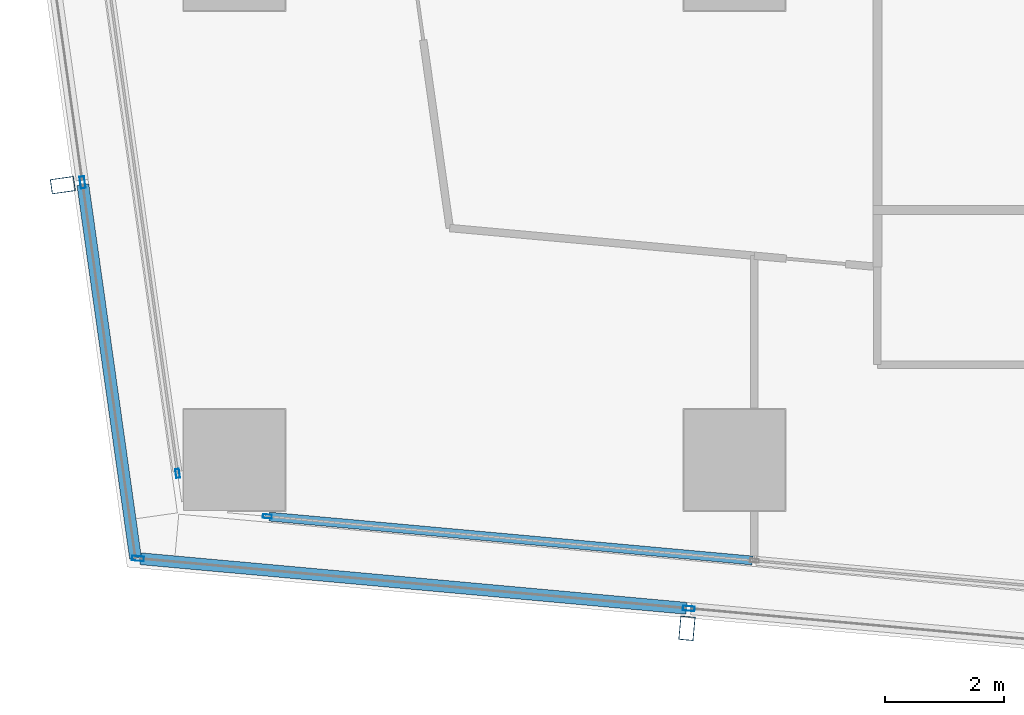
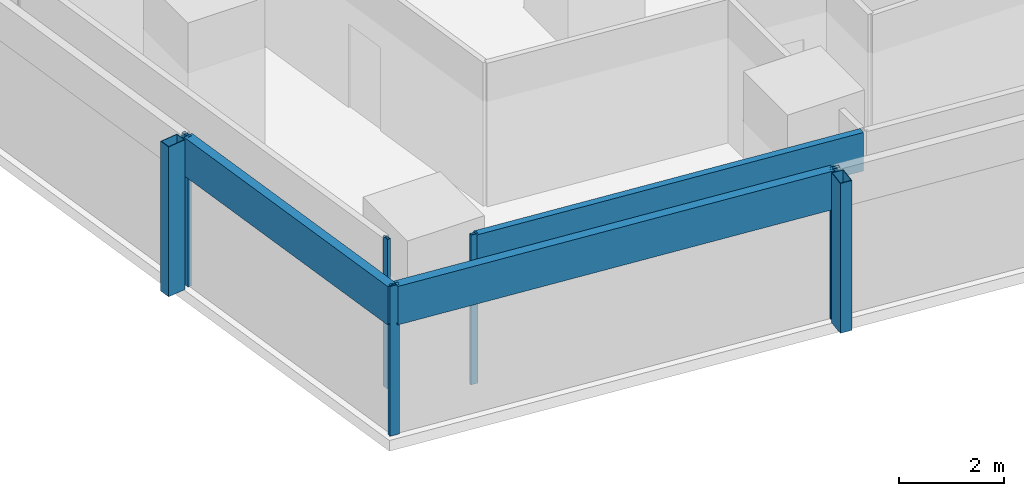
# One storey, part 2 of 40: 10 members, 4 elements without a shape of their own.
"""IFC4 building model written with IfcOpenShell, lengths in metres."""

import ifcopenshell
import ifcopenshell.guid

model = None  # the IFC model being written
_history = None  # IfcOwnerHistory: only IFC2X3 demands one
_inside = {}  # id of a spatial element -> (the spatial element, [elements in it])
_under = {}  # id of a project, library or spatial element -> (it, [spatial elements below it])
_declared = {}  # id of a project -> (the project, [libraries it declares])
_typed = {}  # id of a type object -> (the type object, [elements of that type])
_made_of = {}  # id of a material, layer set ... -> (it, [elements and type objects made of it])


def new_model(schema):
    """Start an empty IFC model of exactly this schema.

    Asked for "IFC4X3", IfcOpenShell would pick the latest addendum, in which some entities
    have other attributes; the version numbers below select the first issue.
    IFC2X3 requires an IfcOwnerHistory on every rooted entity: one is made here for all.
    """
    global model, _history
    if schema == "IFC4X3":
        model = ifcopenshell.file(schema_version=(4, 3, 0, 0))
    else:
        model = ifcopenshell.file(schema=schema)
    _inside.clear()
    _under.clear()
    _declared.clear()
    _typed.clear()
    _made_of.clear()
    _history = None
    if model.schema == "IFC2X3":
        org = make("IfcOrganization", Name="unknown")
        user = make(
            "IfcPersonAndOrganization",
            ThePerson=make("IfcPerson", FamilyName="unknown"),
            TheOrganization=org,
        )
        app = make(
            "IfcApplication",
            ApplicationDeveloper=org,
            Version="unknown",
            ApplicationFullName="unknown",
            ApplicationIdentifier="unknown",
        )
        _history = make(
            "IfcOwnerHistory",
            OwningUser=user,
            OwningApplication=app,
            ChangeAction="ADDED",
            CreationDate=0,
        )
    return model


def make(cls, **values):
    """One entity of the class cls with the attributes given. An attribute that is None is left unset."""
    return model.create_entity(
        cls, **{name: value for name, value in values.items() if value is not None}
    )


def rooted(cls, **values):
    """An entity with a GlobalId (a new one), such as an element, a storey or a relation."""
    return make(cls, GlobalId=ifcopenshell.guid.new(), OwnerHistory=_history, **values)


def si_unit(unit_type, name, prefix=None):
    """IfcSIUnit, for example si_unit("LENGTHUNIT", "METRE", prefix="MILLI")."""
    return make("IfcSIUnit", UnitType=unit_type, Prefix=prefix, Name=name)


def assignment(units):
    """IfcUnitAssignment: the units of a project."""
    return None if units is None else make("IfcUnitAssignment", Units=units)


def point(xyz):
    """IfcCartesianPoint."""
    return None if xyz is None else make("IfcCartesianPoint", Coordinates=xyz)


def direction(xyz):
    """IfcDirection."""
    return None if xyz is None else make("IfcDirection", DirectionRatios=xyz)


def frame(location, z_axis=None, x_axis=None):
    """IfcAxis2Placement3D, a coordinate frame: its origin and axes. An axis left out is left unset."""
    return make(
        "IfcAxis2Placement3D",
        Location=point(location),
        Axis=direction(z_axis),
        RefDirection=direction(x_axis),
    )


def frame_2d(location, x_axis=None):
    """IfcAxis2Placement2D, a coordinate frame in the plane: its origin and x axis."""
    return make(
        "IfcAxis2Placement2D", Location=point(location), RefDirection=direction(x_axis)
    )


def origin():
    """The frame at (0, 0, 0) with its axes left unset."""
    return frame((0.0, 0.0, 0.0))


def origin_2d():
    """The frame at (0, 0) in the plane with its x axis left unset."""
    return frame_2d((0.0, 0.0))


def place(relative_to, where):
    """IfcLocalPlacement: puts the frame where relative to a parent placement (None: the world)."""
    return make(
        "IfcLocalPlacement", PlacementRelTo=relative_to, RelativePlacement=where
    )


def context(
    kind, dimensions, precision=None, world=None, true_north=None, identifier=None
):
    """IfcGeometricRepresentationContext, for example the 3D "Model" context."""
    return make(
        "IfcGeometricRepresentationContext",
        ContextIdentifier=identifier,
        ContextType=kind,
        CoordinateSpaceDimension=dimensions,
        Precision=precision,
        WorldCoordinateSystem=world,
        TrueNorth=true_north,
    )


def subcontext(parent, identifier, kind, view, scale=None):
    """IfcGeometricRepresentationSubContext, for example "Body" below "Model"."""
    return make(
        "IfcGeometricRepresentationSubContext",
        ContextIdentifier=identifier,
        ContextType=kind,
        ParentContext=parent,
        TargetScale=scale,
        TargetView=view,
    )


def project(units=None, contexts=None):
    """IfcProject with its units and contexts."""
    return rooted(
        "IfcProject",
        Name="project",
        RepresentationContexts=contexts,
        UnitsInContext=assignment(units),
    )


def spatial(cls, under=None, at=None, **own):
    """A site, building, storey or space (cls), placed at a placement, below another one or the project."""
    s = rooted(cls, ObjectPlacement=at, **own)
    if under is not None:
        _under.setdefault(under.id(), (under, []))[1].append(s)
    return s


def profile(cls, at=None, kind="AREA", **sizes):
    """A parametric profile (cls). Its sizes go by their IFC names, for example OverallWidth=200.0."""
    return make(cls, ProfileType=kind, Position=at, **sizes)


def hollow_rectangle(**sizes):
    """IfcRectangleHollowProfileDef."""
    return profile("IfcRectangleHollowProfileDef", **sizes)


def extrude(swept, where, along, depth):
    """IfcExtrudedAreaSolid: the profile swept, set in the frame where, extruded along a direction by depth."""
    return make(
        "IfcExtrudedAreaSolid",
        SweptArea=swept,
        Position=where,
        ExtrudedDirection=direction(along),
        Depth=depth,
    )


def shape(context_of_items, identifier, shape_type, items):
    """IfcShapeRepresentation: the items that make up one representation, for example the "Body"."""
    return make(
        "IfcShapeRepresentation",
        ContextOfItems=context_of_items,
        RepresentationIdentifier=identifier,
        RepresentationType=shape_type,
        Items=items,
    )


def material(Name=None, Category=None):
    """IfcMaterial."""
    return make("IfcMaterial", Name=Name, Category=Category)


def material_profile(
    of_material, cross_section, Name=None, Category=None, Priority=None
):
    """IfcMaterialProfile: a cross section and its material."""
    return make(
        "IfcMaterialProfile",
        Name=Name,
        Material=of_material,
        Profile=cross_section,
        Priority=Priority,
        Category=Category,
    )


def profile_set(profiles, Name=None, composite=None):
    """IfcMaterialProfileSet."""
    return make(
        "IfcMaterialProfileSet",
        Name=Name,
        MaterialProfiles=profiles,
        CompositeProfile=composite,
    )


def made_of(thing, what):
    """Note that an element or type object is made of a material, layer set ...; save() writes the relation."""
    if what is not None:
        _made_of.setdefault(what.id(), (what, []))[1].append(thing)
    return thing


def type_object(cls, material=None, **own):
    """A type object (cls), such as IfcWallType, which elements share."""
    return made_of(rooted(cls, **own), material)


def element(
    cls,
    number,
    at=None,
    inside=None,
    cuts=None,
    type_object=None,
    material=None,
    context=None,
    identifier="Body",
    shape_type=None,
    held_by="IfcProductDefinitionShape",
    body=None,
    shapes=None,
    **own,
):
    """One element of the class cls, such as IfcWall. Its Tag is "e" and its number.

    at: its placement. inside: the storey or other place that contains it. cuts: it is an
    opening in that element (IfcRelVoidsElement). A single representation is given by context,
    identifier, shape_type and body (its items); several are given by shapes. held_by: the class
    of the entity that holds the representations. save() writes the other relations.
    """
    e = rooted(cls, Tag="e%d" % number, ObjectPlacement=at, **own)
    if body is not None:
        shapes = [shape(context, identifier, shape_type, body)]
    if shapes is not None:
        e.Representation = make(held_by, Representations=shapes)
    if inside is not None:
        _inside.setdefault(inside.id(), (inside, []))[1].append(e)
    if cuts is not None:
        rooted(
            "IfcRelVoidsElement", RelatingBuildingElement=cuts, RelatedOpeningElement=e
        )
    if type_object is not None:
        _typed.setdefault(type_object.id(), (type_object, []))[1].append(e)
    return made_of(e, material)


def aggregate(whole, parts):
    """IfcRelAggregates: a whole, such as a stair, and the parts it consists of."""
    return rooted("IfcRelAggregates", RelatingObject=whole, RelatedObjects=parts)


def save(model, path):
    """Write the relations noted so far, then the file.

    IfcRelAggregates (storeys below a building ...), IfcRelContainedInSpatialStructure (elements
    in a storey), IfcRelDefinesByType, IfcRelAssociatesMaterial and IfcRelDeclares: one each for
    every whole, place, type object, material and project.
    """
    for whole, parts in _under.values():
        aggregate(whole, parts)
    for where, things in _inside.values():
        rooted(
            "IfcRelContainedInSpatialStructure",
            RelatedElements=things,
            RelatingStructure=where,
        )
    for kind, things in _typed.values():
        rooted("IfcRelDefinesByType", RelatedObjects=things, RelatingType=kind)
    for what, things in _made_of.values():
        rooted("IfcRelAssociatesMaterial", RelatedObjects=things, RelatingMaterial=what)
    for by, libraries in _declared.values():
        rooted("IfcRelDeclares", RelatingContext=by, RelatedDefinitions=libraries)
    model.write(path)


model = new_model("IFC4")

# Units and contexts
model_context = context("Model", 3, precision=1e-05, world=origin(), true_north=direction((0.0, 1.0)))
body_context = subcontext(model_context, "Body", "Model", "MODEL_VIEW")
ifc_project = project(units=[si_unit("LENGTHUNIT", "METRE"), si_unit("AREAUNIT", "SQUARE_METRE"), si_unit("VOLUMEUNIT", "CUBIC_METRE"), si_unit("PLANEANGLEUNIT", "RADIAN"), si_unit("MASSUNIT", "GRAM", prefix="KILO")], contexts=[model_context])

# Site, building, storey
site_placement = place(None, origin())
site = spatial("IfcSite", under=ifc_project, at=site_placement, CompositionType="ELEMENT")
building_placement = place(site_placement, origin())
building = spatial("IfcBuilding", under=site, at=building_placement, Name="Rekha Terrace Tower", CompositionType="ELEMENT")
storey_placement = place(building_placement, frame((0.0, 0.0, 136.550048828125)))
storey = spatial("IfcBuildingStorey", under=building, at=storey_placement, Name="L34", CompositionType="ELEMENT", Elevation=136.550048828125)

# Curtain wall, member
ifc_material_1 = material(Name="Aluminium framing", Category="aluminium")
curtain_wall_type_1 = type_object("IfcCurtainWallType", Name="CW2 double skin outer glazing", PredefinedType="USERDEFINED", material=ifc_material_1)
curtain_wall_1_placement = place(storey_placement, origin())
curtain_wall_1 = element("IfcCurtainWall", 1, at=curtain_wall_1_placement, inside=storey, type_object=curtain_wall_type_1, Name="CW2 double skin outer glazing", ObjectType="DOUBLE SKIN OUTER GLAZING", PredefinedType="USERDEFINED")
ifc_material_2 = material(Name="Steel S355 with fluorocarbon finish", Category="steel")
ifc_material_profile_1 = material_profile(ifc_material_2, hollow_rectangle(XDim=0.25, YDim=0.39990234375, WallThickness=0.012451171875, at=origin_2d()), Name="RHS400x250x12.5")
ifc_profile_set_1 = profile_set([ifc_material_profile_1], Name="Steel S355 with fluorocarbon finish")
member_type_1 = type_object("IfcMemberType", Name="BL1 facade blade RHS 400 x 250", PredefinedType="USERDEFINED", material=ifc_profile_set_1)
member_1_placement = place(storey_placement, frame((16.002197265625, 13.970458984375, 0.0), z_axis=(0.0, 0.0, 1.0), x_axis=(0.995901938317, -0.090439644273, 0.0)))
member_1 = element("IfcMember", 2, at=member_1_placement, type_object=member_type_1, Name="Facade blade", ObjectType="FACADE BLADE", PredefinedType="USERDEFINED", context=body_context, shape_type="SweptSolid", body=[
    extrude(hollow_rectangle(XDim=0.25, YDim=0.39990234375, WallThickness=0.012451171875, at=origin_2d()), origin(), (0.0, 0.0, 1.0), 3.5),
])

curtain_wall_2_placement = place(storey_placement, origin())
curtain_wall_2 = element("IfcCurtainWall", 3, at=curtain_wall_2_placement, inside=storey, type_object=curtain_wall_type_1, Name="CW2 double skin outer glazing", ObjectType="DOUBLE SKIN OUTER GLAZING", PredefinedType="USERDEFINED")
member_2_placement = place(storey_placement, frame((5.51904296875, 21.41455078125, 0.0), z_axis=(0.0, 0.0, 1.0), x_axis=(0.139596532461, -0.990208467003, 0.0)))
member_2 = element("IfcMember", 4, at=member_2_placement, type_object=member_type_1, Name="Facade blade", ObjectType="FACADE BLADE", PredefinedType="USERDEFINED", context=body_context, shape_type="SweptSolid", body=[
    extrude(hollow_rectangle(XDim=0.25, YDim=0.39990234375, WallThickness=0.012451171875, at=origin_2d()), origin(), (0.0, 0.0, 1.0), 3.5),
])

curtain_wall_type_2 = type_object("IfcCurtainWallType", Name="CW1 double skin inner glazing", PredefinedType="USERDEFINED", material=ifc_material_1)
curtain_wall_3_placement = place(storey_placement, origin())
curtain_wall_3 = element("IfcCurtainWall", 5, at=curtain_wall_3_placement, inside=storey, type_object=curtain_wall_type_2, Name="CW1 double skin inner glazing", ObjectType="DOUBLE SKIN INNER GLAZING", PredefinedType="USERDEFINED")
ifc_material_3 = material(Name="Aluminium mullion section", Category="aluminium")
ifc_material_profile_2 = material_profile(ifc_material_3, hollow_rectangle(XDim=0.06494140625, YDim=0.14990234375, WallThickness=0.00390625, at=origin_2d()), Name="AL RHS 65x150")
ifc_profile_set_2 = profile_set([ifc_material_profile_2], Name="Aluminium mullion section")
member_type_2 = type_object("IfcMemberType", Name="CW1 mullion RHS 65 x 150", PredefinedType="MULLION", material=ifc_profile_set_2)
member_3_placement = place(storey_placement, frame((8.953369140625, 15.8505859375, 0.0), z_axis=(0.0, 0.0, 1.0), x_axis=(0.090439811381, 0.995901923142, 0.0)))
member_3 = element("IfcMember", 6, at=member_3_placement, type_object=member_type_2, Name="CW1 mullion 1", PredefinedType="MULLION", context=body_context, shape_type="SweptSolid", body=[
    extrude(hollow_rectangle(XDim=0.06494140625, YDim=0.14990234375, WallThickness=0.00390625, at=origin_2d()), origin(), (0.0, 0.0, 1.0), 3.5),
])

curtain_wall_4_placement = place(storey_placement, origin())
curtain_wall_4 = element("IfcCurtainWall", 7, at=curtain_wall_4_placement, inside=storey, type_object=curtain_wall_type_2, Name="CW1 double skin inner glazing", ObjectType="DOUBLE SKIN INNER GLAZING", PredefinedType="USERDEFINED")
member_4_placement = place(storey_placement, frame((7.448486328125, 16.573974609375, 0.0), z_axis=(0.0, 0.0, 1.0), x_axis=(0.990208394312, 0.139597048082, 0.0)))
member_4 = element("IfcMember", 8, at=member_4_placement, type_object=member_type_2, Name="CW1 mullion 2", PredefinedType="MULLION", context=body_context, shape_type="SweptSolid", body=[
    extrude(hollow_rectangle(XDim=0.06494140625, YDim=0.14990234375, WallThickness=0.00390625, at=origin_2d()), origin(), (0.0, 0.0, 1.0), 3.5),
])
aggregate(curtain_wall_4, [member_4])

# Member
ifc_material_4 = material(Name="Insulated aluminium spandrel box", Category="aluminium")
ifc_material_profile_3 = material_profile(ifc_material_4, hollow_rectangle(XDim=0.14990234375, YDim=0.89990234375, WallThickness=0.0029296875, at=origin_2d()), Name="AL SPANDREL BOX 150x900")
ifc_profile_set_3 = profile_set([ifc_material_profile_3], Name="Insulated aluminium spandrel box")
member_type_3 = type_object("IfcMemberType", Name="CW1 spandrel transom 150 x 900", PredefinedType="USERDEFINED", material=ifc_profile_set_3)
member_5_placement = place(storey_placement, frame((8.98583984375, 15.84765625, 3.050048828125), z_axis=(0.995901551249, -0.090443906483, 0.0), x_axis=(0.090443906483, 0.995901551249, 0.0)))
member_5 = element("IfcMember", 9, at=member_5_placement, type_object=member_type_3, Name="CW1 spandrel transom 1", ObjectType="TRANSOM", PredefinedType="USERDEFINED", context=body_context, shape_type="SweptSolid", body=[
    extrude(hollow_rectangle(XDim=0.14990234375, YDim=0.89990234375, WallThickness=0.0029296875, at=origin_2d()), origin(), (0.0, 0.0, 1.0), 8.1494140625),
])

aggregate(curtain_wall_3, [member_3, member_5])

ifc_material_profile_4 = material_profile(ifc_material_3, hollow_rectangle(XDim=0.080078125, YDim=0.199951171875, WallThickness=0.00390625, at=origin_2d()), Name="AL RHS 80x200")
ifc_profile_set_4 = profile_set([ifc_material_profile_4], Name="Aluminium mullion section")
member_type_4 = type_object("IfcMemberType", Name="CW2 mullion RHS 80 x 200", PredefinedType="MULLION", material=ifc_profile_set_4)
member_6_placement = place(storey_placement, frame((6.780517578125, 15.144287109375, 0.0), z_axis=(0.0, 0.0, 1.0), x_axis=(0.090439811433, 0.995901923137, 0.0)))
member_6 = element("IfcMember", 10, at=member_6_placement, type_object=member_type_4, Name="CW2 mullion 1", PredefinedType="MULLION", context=body_context, shape_type="SweptSolid", body=[
    extrude(hollow_rectangle(XDim=0.080078125, YDim=0.199951171875, WallThickness=0.00390625, at=origin_2d()), origin(), (0.0, 0.0, 1.0), 3.5),
])

member_7_placement = place(storey_placement, frame((16.032470703125, 14.30419921875, 0.0), z_axis=(0.0, 0.0, 1.0), x_axis=(0.090439811433, 0.995901923137, 0.0)))
member_7 = element("IfcMember", 11, at=member_7_placement, type_object=member_type_4, Name="CW2 mullion 2", PredefinedType="MULLION", context=body_context, shape_type="SweptSolid", body=[
    extrude(hollow_rectangle(XDim=0.080078125, YDim=0.199951171875, WallThickness=0.00390625, at=origin_2d()), origin(), (0.0, 0.0, 1.0), 3.5),
])

member_8_placement = place(storey_placement, frame((5.8505859375, 21.46142578125, 0.0), z_axis=(0.0, 0.0, 1.0), x_axis=(0.990208394312, 0.139597048082, 0.0)))
member_8 = element("IfcMember", 12, at=member_8_placement, type_object=member_type_4, Name="CW2 mullion 2", PredefinedType="MULLION", context=body_context, shape_type="SweptSolid", body=[
    extrude(hollow_rectangle(XDim=0.080078125, YDim=0.199951171875, WallThickness=0.00390625, at=origin_2d()), origin(), (0.0, 0.0, 1.0), 3.5),
])

ifc_material_profile_5 = material_profile(ifc_material_4, hollow_rectangle(XDim=0.199951171875, YDim=0.89990234375, WallThickness=0.0029296875, at=origin_2d()), Name="AL SPANDREL BOX 200x900")
ifc_profile_set_5 = profile_set([ifc_material_profile_5], Name="Insulated aluminium spandrel box")
member_type_5 = type_object("IfcMemberType", Name="CW2 spandrel transom 200 x 900", PredefinedType="USERDEFINED", material=ifc_profile_set_5)
member_9_placement = place(storey_placement, frame((6.8203125, 15.140625, 3.050048828125), z_axis=(0.995901458883, -0.090444923548, 0.0), x_axis=(0.090444923548, 0.995901458883, 0.0)))
member_9 = element("IfcMember", 13, at=member_9_placement, type_object=member_type_5, Name="CW2 spandrel transom 1", ObjectType="TRANSOM", PredefinedType="USERDEFINED", context=body_context, shape_type="SweptSolid", body=[
    extrude(hollow_rectangle(XDim=0.199951171875, YDim=0.89990234375, WallThickness=0.0029296875, at=origin_2d()), origin(), (0.0, 0.0, 1.0), 9.210205078125),
])

aggregate(curtain_wall_1, [member_6, member_7, member_9, member_1])

member_10_placement = place(storey_placement, frame((5.856201171875, 21.421875, 3.050048828125), z_axis=(0.139603155616, -0.990207533269, 0.0), x_axis=(0.990207533269, 0.139603155616, 0.0)))
member_10 = element("IfcMember", 14, at=member_10_placement, type_object=member_type_5, Name="CW2 spandrel transom 2", ObjectType="TRANSOM", PredefinedType="USERDEFINED", context=body_context, shape_type="SweptSolid", body=[
    extrude(hollow_rectangle(XDim=0.199951171875, YDim=0.89990234375, WallThickness=0.0029296875, at=origin_2d()), origin(), (0.0, 0.0, 1.0), 6.3359375),
])

aggregate(curtain_wall_2, [member_8, member_10, member_2])

save(model, "model.ifc")
